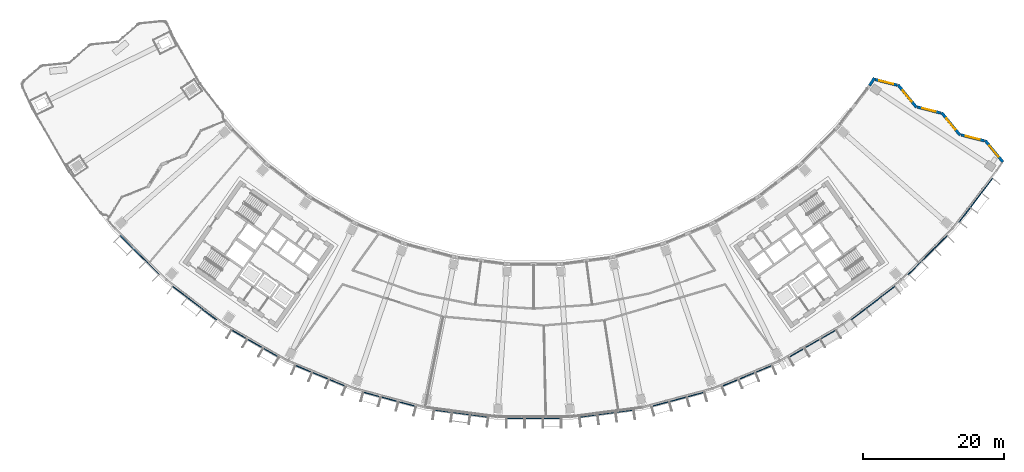
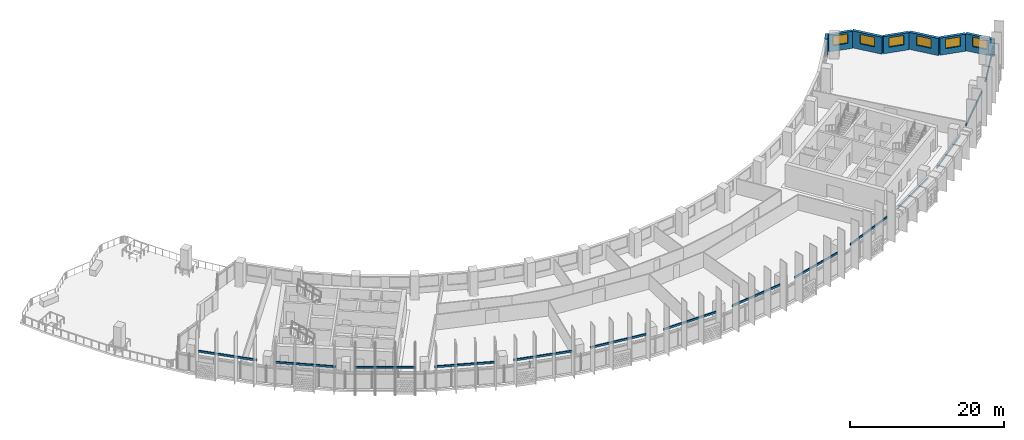
# One storey, part 7 of 31: 14 discrete accessories, 7 walls, 6 windows, 6 openings.
"""IFC4 building model written with IfcOpenShell, lengths in metres."""

from ifc_helpers import new_model, si_unit, direction, frame, frame_2d, origin, origin_2d, place, context, subcontext, project, spatial, rectangle, extrude, material, layer, layer_set, type_object, element, fill, save


model = new_model("IFC4")

# Units and contexts
model_context = context("Model", 3, precision=1e-05, world=origin(), true_north=direction((0.0, 1.0)))
body_context = subcontext(model_context, "Body", "Model", "MODEL_VIEW")
ifc_project = project(units=[si_unit("LENGTHUNIT", "METRE"), si_unit("AREAUNIT", "SQUARE_METRE"), si_unit("VOLUMEUNIT", "CUBIC_METRE"), si_unit("PLANEANGLEUNIT", "RADIAN"), si_unit("MASSUNIT", "GRAM", prefix="KILO")], contexts=[model_context])

# Site, building, storey
site_placement = place(None, origin())
site = spatial("IfcSite", under=ifc_project, at=site_placement, CompositionType="ELEMENT")
building_placement = place(site_placement, origin())
building = spatial("IfcBuilding", under=site, at=building_placement, Name="Qamariyya Broadcast Tower", CompositionType="ELEMENT")
storey_placement = place(building_placement, frame((0.0, 0.0, 149.300048828125)))
storey = spatial("IfcBuildingStorey", under=building, at=storey_placement, Name="L34", CompositionType="ELEMENT", Elevation=149.300048828125)

# Wall, opening, window
ifc_material_1 = material(Name="Terracotta", Category="masonry")
ifc_layer = layer(ifc_material_1, 0.39990234375)
ifc_layer_set = layer_set([ifc_layer], Name="Terracotta clad wall 400")
wall_type = type_object("IfcWallType", Name="Terracotta clad wall 400", PredefinedType="SOLIDWALL", material=ifc_layer_set)
wall_1_placement = place(storey_placement, frame((66.436279296875, -42.631591796875, 0.0), z_axis=(0.0, 0.0, 1.0), x_axis=(-0.634379574075, 0.773021704739, 0.0)))
wall_1 = element("IfcWall", 1, at=wall_1_placement, inside=storey, type_object=wall_type, Name="e-wl-L34-capE0", PredefinedType="SOLIDWALL", context=body_context, shape_type="SweptSolid", body=[
    extrude(rectangle(XDim=3.921630859375, YDim=0.39990234375, at=frame_2d((1.9609375, 0.0))), origin(), (0.0, 0.0, 1.0), 2.699951171875),
])
opening_1_placement = place(wall_1_placement, frame((0.9609375, 0.0, 0.89990234375)))
opening_1 = element("IfcOpeningElement", 2, at=opening_1_placement, cuts=wall_1, Name="Opening W4", PredefinedType="OPENING", context=body_context, shape_type="SweptSolid", body=[
    extrude(rectangle(XDim=2.0, YDim=1.5, at=frame_2d((1.0, 0.75))), frame((0.0, 0.2099609375, 0.0), z_axis=(0.0, -1.0, 0.0), x_axis=(1.0, 0.0, 0.0)), (0.0, 0.0, 1.0), 0.419921875),
])
ifc_material_2 = material(Name="Clear low-e double glazed unit in aluminium frame", Category="aluminium")
window_type = type_object("IfcWindowType", Name="Horn bay window 2000 x 1500", PartitioningType="SINGLE_PANEL", PredefinedType="WINDOW", material=ifc_material_2)
window_1_placement = place(opening_1_placement, origin())
window_1 = element("IfcWindow", 3, at=window_1_placement, inside=storey, type_object=window_type, Name="e-w-L34-capE0", OverallHeight=1.5, OverallWidth=2.0, PartitioningType="SINGLE_PANEL", PredefinedType="WINDOW", context=body_context, shape_type="SweptSolid", body=[
    extrude(rectangle(XDim=2.0, YDim=1.5, at=frame_2d((1.0, 0.75))), frame((0.0, 0.030029296875, 0.0), z_axis=(0.0, -1.0, 0.0), x_axis=(1.0, 0.0, 0.0)), (0.0, 0.0, 1.0), 0.06005859375),
])
fill(opening_1, window_1)

wall_2_placement = place(storey_placement, frame((63.816650390625, -39.639404296875, 0.0), z_axis=(0.0, 0.0, 1.0), x_axis=(-0.968659020826, 0.248394245851, 0.0)))
wall_2 = element("IfcWall", 4, at=wall_2_placement, inside=storey, type_object=wall_type, Name="e-wl-L34-capE1", PredefinedType="SOLIDWALL", context=body_context, shape_type="SweptSolid", body=[
    extrude(rectangle(XDim=3.41943359375, YDim=0.39990234375, at=frame_2d((1.709716796875, 0.0))), origin(), (0.0, 0.0, 1.0), 2.699951171875),
])
opening_2_placement = place(wall_2_placement, frame((0.709716796875, 0.0, 0.89990234375)))
opening_2 = element("IfcOpeningElement", 5, at=opening_2_placement, cuts=wall_2, Name="Opening W4", PredefinedType="OPENING", context=body_context, shape_type="SweptSolid", body=[
    extrude(rectangle(XDim=2.0, YDim=1.5, at=frame_2d((1.0, 0.75))), frame((0.0, 0.2099609375, 0.0), z_axis=(0.0, -1.0, 0.0), x_axis=(1.0, 0.0, 0.0)), (0.0, 0.0, 1.0), 0.419921875),
])
window_2_placement = place(opening_2_placement, origin())
window_2 = element("IfcWindow", 6, at=window_2_placement, inside=storey, type_object=window_type, Name="e-w-L34-capE1", OverallHeight=1.5, OverallWidth=2.0, PartitioningType="SINGLE_PANEL", PredefinedType="WINDOW", context=body_context, shape_type="SweptSolid", body=[
    extrude(rectangle(XDim=2.0, YDim=1.5, at=frame_2d((1.0, 0.75))), frame((0.0, 0.030029296875, 0.0), z_axis=(0.0, -1.0, 0.0), x_axis=(1.0, 0.0, 0.0)), (0.0, 0.0, 1.0), 0.06005859375),
])
fill(opening_2, window_2)

wall_3_placement = place(storey_placement, frame((60.37255859375, -38.829345703125, 0.0), z_axis=(0.0, 0.0, 1.0), x_axis=(-0.634473241303, 0.772944827313, 0.0)))
wall_3 = element("IfcWall", 7, at=wall_3_placement, inside=storey, type_object=wall_type, Name="e-wl-L34-capE2", PredefinedType="SOLIDWALL", context=body_context, shape_type="SweptSolid", body=[
    extrude(rectangle(XDim=4.108154296875, YDim=0.39990234375, at=frame_2d((2.05419921875, 0.0))), origin(), (0.0, 0.0, 1.0), 2.699951171875),
])
opening_3_placement = place(wall_3_placement, frame((1.053955078125, 0.0, 0.89990234375)))
opening_3 = element("IfcOpeningElement", 8, at=opening_3_placement, cuts=wall_3, Name="Opening W4", PredefinedType="OPENING", context=body_context, shape_type="SweptSolid", body=[
    extrude(rectangle(XDim=2.0, YDim=1.5, at=frame_2d((1.0, 0.75))), frame((0.0, 0.2099609375, 0.0), z_axis=(0.0, -1.0, 0.0), x_axis=(1.0, 0.0, 0.0)), (0.0, 0.0, 1.0), 0.419921875),
])
window_3_placement = place(opening_3_placement, origin())
window_3 = element("IfcWindow", 9, at=window_3_placement, inside=storey, type_object=window_type, Name="e-w-L34-capE2", OverallHeight=1.5, OverallWidth=2.0, PartitioningType="SINGLE_PANEL", PredefinedType="WINDOW", context=body_context, shape_type="SweptSolid", body=[
    extrude(rectangle(XDim=2.0, YDim=1.5, at=frame_2d((1.0, 0.75))), frame((0.0, 0.030029296875, 0.0), z_axis=(0.0, -1.0, 0.0), x_axis=(1.0, 0.0, 0.0)), (0.0, 0.0, 1.0), 0.06005859375),
])
fill(opening_3, window_3)

wall_4_placement = place(storey_placement, frame((57.63427734375, -35.693359375, 0.0), z_axis=(0.0, 0.0, 1.0), x_axis=(-0.968675761001, 0.24832895532, 0.0)))
wall_4 = element("IfcWall", 10, at=wall_4_placement, inside=storey, type_object=wall_type, Name="e-wl-L34-capE3", PredefinedType="SOLIDWALL", context=body_context, shape_type="SweptSolid", body=[
    extrude(rectangle(XDim=3.41845703125, YDim=0.39990234375, at=frame_2d((1.709228515625, 0.0))), origin(), (0.0, 0.0, 1.0), 2.699951171875),
])
opening_4_placement = place(wall_4_placement, frame((0.709228515625, 0.0, 0.89990234375)))
opening_4 = element("IfcOpeningElement", 11, at=opening_4_placement, cuts=wall_4, Name="Opening W4", PredefinedType="OPENING", context=body_context, shape_type="SweptSolid", body=[
    extrude(rectangle(XDim=2.0, YDim=1.5, at=frame_2d((1.0, 0.75))), frame((0.0, 0.2099609375, 0.0), z_axis=(0.0, -1.0, 0.0), x_axis=(1.0, 0.0, 0.0)), (0.0, 0.0, 1.0), 0.419921875),
])
window_4_placement = place(opening_4_placement, origin())
window_4 = element("IfcWindow", 12, at=window_4_placement, inside=storey, type_object=window_type, Name="e-w-L34-capE3", OverallHeight=1.5, OverallWidth=2.0, PartitioningType="SINGLE_PANEL", PredefinedType="WINDOW", context=body_context, shape_type="SweptSolid", body=[
    extrude(rectangle(XDim=2.0, YDim=1.5, at=frame_2d((1.0, 0.75))), frame((0.0, 0.030029296875, 0.0), z_axis=(0.0, -1.0, 0.0), x_axis=(1.0, 0.0, 0.0)), (0.0, 0.0, 1.0), 0.06005859375),
])
fill(opening_4, window_4)

wall_5_placement = place(storey_placement, frame((54.191162109375, -34.8837890625, 0.0), z_axis=(0.0, 0.0, 1.0), x_axis=(-0.634527812465, 0.772900029246, 0.0)))
wall_5 = element("IfcWall", 13, at=wall_5_placement, inside=storey, type_object=wall_type, Name="e-wl-L34-capE4", PredefinedType="SOLIDWALL", context=body_context, shape_type="SweptSolid", body=[
    extrude(rectangle(XDim=4.109130859375, YDim=0.39990234375, at=frame_2d((2.0546875, 0.0))), origin(), (0.0, 0.0, 1.0), 2.699951171875),
])
opening_5_placement = place(wall_5_placement, frame((1.0546875, 0.0, 0.89990234375)))
opening_5 = element("IfcOpeningElement", 14, at=opening_5_placement, cuts=wall_5, Name="Opening W4", PredefinedType="OPENING", context=body_context, shape_type="SweptSolid", body=[
    extrude(rectangle(XDim=2.0, YDim=1.5, at=frame_2d((1.0, 0.75))), frame((0.0, 0.2099609375, 0.0), z_axis=(0.0, -1.0, 0.0), x_axis=(1.0, 0.0, 0.0)), (0.0, 0.0, 1.0), 0.419921875),
])
window_5_placement = place(opening_5_placement, origin())
window_5 = element("IfcWindow", 15, at=window_5_placement, inside=storey, type_object=window_type, Name="e-w-L34-capE4", OverallHeight=1.5, OverallWidth=2.0, PartitioningType="SINGLE_PANEL", PredefinedType="WINDOW", context=body_context, shape_type="SweptSolid", body=[
    extrude(rectangle(XDim=2.0, YDim=1.5, at=frame_2d((1.0, 0.75))), frame((0.0, 0.030029296875, 0.0), z_axis=(0.0, -1.0, 0.0), x_axis=(1.0, 0.0, 0.0)), (0.0, 0.0, 1.0), 0.06005859375),
])
fill(opening_5, window_5)

wall_6_placement = place(storey_placement, frame((51.451904296875, -31.7470703125, 0.0), z_axis=(0.0, 0.0, 1.0), x_axis=(-0.968704673723, 0.248216145944, 0.0)))
wall_6 = element("IfcWall", 16, at=wall_6_placement, inside=storey, type_object=wall_type, Name="e-wl-L34-capE5", PredefinedType="SOLIDWALL", context=body_context, shape_type="SweptSolid", body=[
    extrude(rectangle(XDim=3.173095703125, YDim=0.39990234375, at=frame_2d((1.58642578125, 0.0))), origin(), (0.0, 0.0, 1.0), 2.699951171875),
])
opening_6_placement = place(wall_6_placement, frame((0.58642578125, 0.0, 0.89990234375)))
opening_6 = element("IfcOpeningElement", 17, at=opening_6_placement, cuts=wall_6, Name="Opening W4", PredefinedType="OPENING", context=body_context, shape_type="SweptSolid", body=[
    extrude(rectangle(XDim=2.0, YDim=1.5, at=frame_2d((1.0, 0.75))), frame((0.0, 0.2099609375, 0.0), z_axis=(0.0, -1.0, 0.0), x_axis=(1.0, 0.0, 0.0)), (0.0, 0.0, 1.0), 0.419921875),
])
window_6_placement = place(opening_6_placement, origin())
window_6 = element("IfcWindow", 18, at=window_6_placement, inside=storey, type_object=window_type, Name="e-w-L34-capE5", OverallHeight=1.5, OverallWidth=2.0, PartitioningType="SINGLE_PANEL", PredefinedType="WINDOW", context=body_context, shape_type="SweptSolid", body=[
    extrude(rectangle(XDim=2.0, YDim=1.5, at=frame_2d((1.0, 0.75))), frame((0.0, 0.030029296875, 0.0), z_axis=(0.0, -1.0, 0.0), x_axis=(1.0, 0.0, 0.0)), (0.0, 0.0, 1.0), 0.06005859375),
])
fill(opening_6, window_6)

# Wall
wall_7_placement = place(storey_placement, frame((48.239501953125, -30.73828125, 0.0), z_axis=(0.0, 0.0, 1.0), x_axis=(-0.54678060552, -0.83727592192, 0.0)))
element("IfcWall", 19, at=wall_7_placement, inside=storey, type_object=wall_type, Name="e-wl-L34-in150", PredefinedType="SOLIDWALL", context=body_context, shape_type="SweptSolid", body=[
    extrude(rectangle(XDim=1.26318359375, YDim=0.39990234375, at=frame_2d((0.631591796875, 0.0))), origin(), (0.0, 0.0, 1.0), 2.699951171875),
])

# Discrete accessories
ifc_material_3 = material(Name="Stainless steel 316", Category="steel")
discrete_accessory_type = type_object("IfcDiscreteAccessoryType", Name="Slab edge fixing angle, stainless steel", PredefinedType="BRACKET", material=ifc_material_3)
for number, where, z_axis, x_axis, name in (
    (20, (-55.794921875, -55.794921875, 3.2998046875), (0.0, 0.0, 1.0), (0.707106781187, -0.707106781187, 0.0), "e-br-L34-01-0"),
    (21, (-48.034912109375, -62.600341796875, 3.2998046875), (0.0, 0.0, 1.0), (0.793353340291, -0.608761429009, 0.0), "e-br-L34-02-0"),
    (22, (-39.452880859375, -68.33447265625, 3.2998046875), (0.0, 0.0, 1.0), (0.866025403784, -0.5, 0.0), "e-br-L34-03-0"),
    (23, (-30.196044921875, -72.8994140625, 3.2998046875), (0.0, 0.0, 1.0), (0.923879532511, -0.382683432365, 0.0), "e-br-L34-04-0"),
    (24, (-20.42236328125, -76.21728515625, 3.2998046875), (0.0, 0.0, 1.0), (0.965925826289, -0.258819045103, 0.0), "e-br-L34-05-0"),
    (25, (-10.29931640625, -78.230712890625, 3.2998046875), (0.0, 0.0, 1.0), (0.991444861374, -0.13052619222, 0.0), "e-br-L34-06-0"),
    (26, (0.0, -78.90576171875, 3.2998046875), (0.0, 0.0, 1.0), (1.0, 0.0, 0.0), "e-br-L34-07-0"),
    (27, (10.29931640625, -78.230712890625, 3.2998046875), (0.0, 0.0, 1.0), (0.991444861374, 0.13052619222, 0.0), "e-br-L34-08-0"),
    (28, (20.42236328125, -76.21728515625, 3.2998046875), (0.0, 0.0, 1.0), (0.965925826289, 0.258819045103, 0.0), "e-br-L34-09-0"),
    (29, (30.196044921875, -72.8994140625, 3.2998046875), (0.0, 0.0, 1.0), (0.923879532511, 0.382683432365, 0.0), "e-br-L34-10-0"),
    (30, (39.452880859375, -68.33447265625, 3.2998046875), (0.0, 0.0, 1.0), (0.866025403784, 0.5, 0.0), "e-br-L34-11-0"),
    (31, (48.034912109375, -62.600341796875, 3.2998046875), (0.0, 0.0, 1.0), (0.793353340291, 0.608761429009, 0.0), "e-br-L34-12-0"),
    (32, (55.794921875, -55.794921875, 3.2998046875), (0.0, 0.0, 1.0), (0.707106781187, 0.707106781187, 0.0), "e-br-L34-13-0"),
    (33, (62.600341796875, -48.034912109375, 3.2998046875), (0.0, 0.0, 1.0), (0.608761429009, 0.793353340291, 0.0), "e-br-L34-14-0"),
):
    element("IfcDiscreteAccessory", number, at=place(storey_placement, frame(where, z_axis=z_axis, x_axis=x_axis)), inside=storey, type_object=discrete_accessory_type, Name=name, PredefinedType="BRACKET", context=body_context, shape_type="SweptSolid", body=[
        extrude(rectangle(XDim=7.850341796875, YDim=0.14990234375, at=origin_2d()), origin(), (0.0, 0.0, 1.0), 0.300048828125),
    ])

save(model, "model.ifc")
